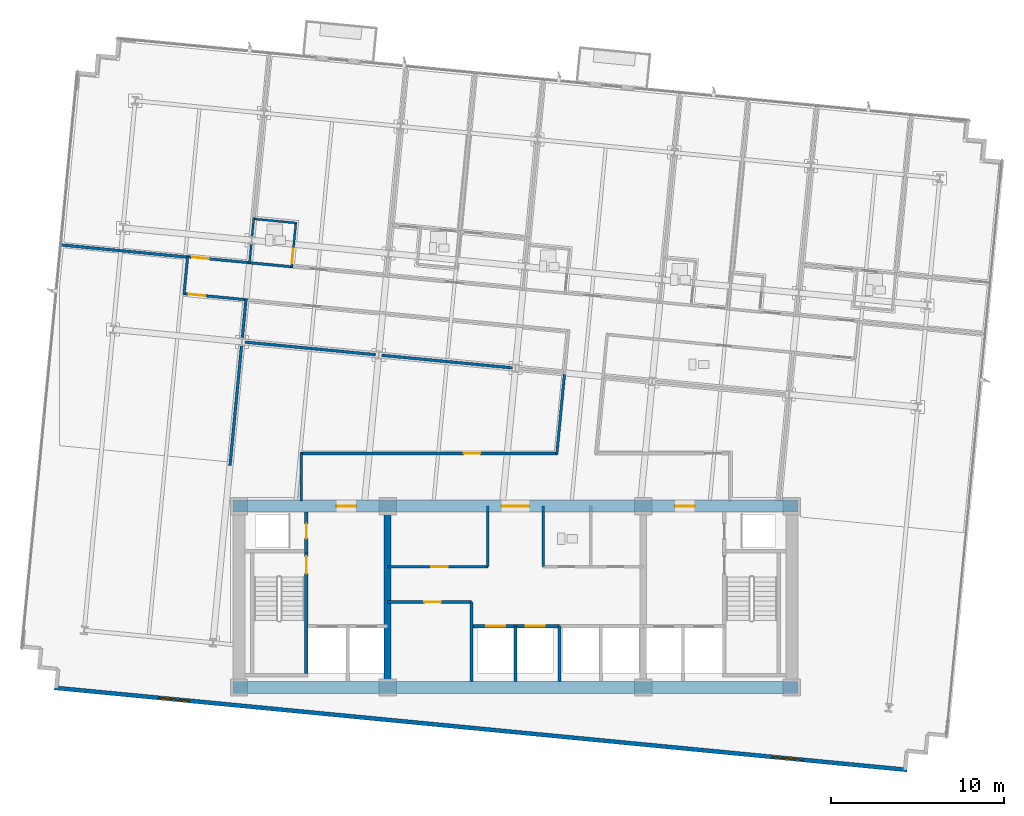
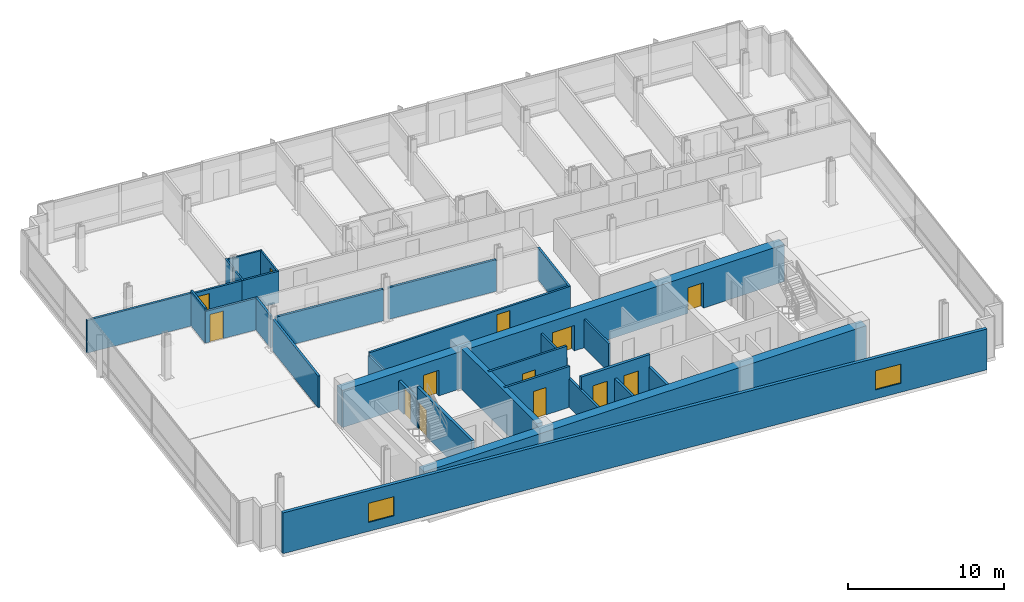
# One storey, part 10 of 17: 30 walls, 13 doors, 2 windows, 15 openings.
"""IFC4 building model written with IfcOpenShell, lengths in metres."""

from ifc_helpers import new_model, si_unit, direction, frame, frame_2d, origin, place, context, subcontext, project, spatial, rectangle, extrude, material, layer, layer_set, type_object, element, fill, save


model = new_model("IFC4")

# Units and contexts
model_context = context("Model", 3, precision=1e-05, world=origin(), true_north=direction((0.0, 1.0)))
body_context = subcontext(model_context, "Body", "Model", "MODEL_VIEW")
ifc_project = project(units=[si_unit("LENGTHUNIT", "METRE"), si_unit("AREAUNIT", "SQUARE_METRE"), si_unit("VOLUMEUNIT", "CUBIC_METRE"), si_unit("PLANEANGLEUNIT", "RADIAN"), si_unit("MASSUNIT", "GRAM", prefix="KILO")], contexts=[model_context])

# Site, building, storey
site_placement = place(None, origin())
site = spatial("IfcSite", under=ifc_project, at=site_placement, CompositionType="ELEMENT")
building_placement = place(site_placement, origin())
building = spatial("IfcBuilding", under=site, at=building_placement, Name="Solmavex Isthmus Hotel", CompositionType="ELEMENT")
storey_placement = place(building_placement, frame((0.0, 0.0, 146.25)))
storey = spatial("IfcBuildingStorey", under=building, at=storey_placement, Name="L39", CompositionType="ELEMENT", Elevation=146.25)

# Wall, openings, windows
ifc_material_1 = material(Name="Precast Concrete C40/50", Category="concrete")
ifc_layer_1 = layer(ifc_material_1, 0.25)
ifc_layer_set_1 = layer_set([ifc_layer_1], Name="Precast Concrete C40/50")
wall_type_1 = type_object("IfcWallType", Name="EW-TWR-250", PredefinedType="STANDARD", material=ifc_layer_set_1)
wall_1_placement = place(storey_placement, frame((-26.6953125, -13.01611328125, 0.0), z_axis=(0.0, 0.0, 1.0), x_axis=(0.995396268366, -0.095845025554, 0.0)))
wall_1 = element("IfcWall", 1, at=wall_1_placement, inside=storey, type_object=wall_type_1, Name="Tower Rear South Facade Wall L39", PredefinedType="STANDARD", context=body_context, shape_type="SweptSolid", body=[
    extrude(rectangle(XDim=49.599853515625, YDim=0.239990234375, at=frame_2d((24.7998046875, 0.0))), origin(), (0.0, 0.0, 1.0), 3.18994140625),
])
opening_1_placement = place(wall_1_placement, frame((6.0439453125, 0.0, 0.699951171875)))
opening_1 = element("IfcOpeningElement", 2, at=opening_1_placement, cuts=wall_1, Name="Opening WN-02", PredefinedType="OPENING", context=body_context, shape_type="SweptSolid", body=[
    extrude(rectangle(XDim=1.800048828125, YDim=1.5, at=frame_2d((0.89990234375, 0.75))), frame((0.0, 0.1298828125, 0.0), z_axis=(0.0, -1.0, 0.0), x_axis=(1.0, 0.0, 0.0)), (0.0, 0.0, 1.0), 0.260009765625),
])
opening_2_placement = place(wall_1_placement, frame((41.756103515625, 0.0, 0.699951171875)))
opening_2 = element("IfcOpeningElement", 3, at=opening_2_placement, cuts=wall_1, Name="Opening WN-02", PredefinedType="OPENING", context=body_context, shape_type="SweptSolid", body=[
    extrude(rectangle(XDim=1.800048828125, YDim=1.5, at=frame_2d((0.89990234375, 0.75))), frame((0.0, 0.1298828125, 0.0), z_axis=(0.0, -1.0, 0.0), x_axis=(1.0, 0.0, 0.0)), (0.0, 0.0, 1.0), 0.260009765625),
])
ifc_material_2 = material(Name="Clear low-E laminated glass", Category="glass")
window_type = type_object("IfcWindowType", Name="WIN-TWR-1800", PartitioningType="SINGLE_PANEL", PredefinedType="WINDOW", material=ifc_material_2)
window_1_placement = place(opening_1_placement, origin())
window_1 = element("IfcWindow", 4, at=window_1_placement, inside=storey, type_object=window_type, Name="South Facade Vision Window L39-S1", OverallHeight=1.5, OverallWidth=1.800048828125, PartitioningType="SINGLE_PANEL", PredefinedType="WINDOW", context=body_context, shape_type="SweptSolid", body=[
    extrude(rectangle(XDim=1.800048828125, YDim=1.5, at=frame_2d((0.89990234375, 0.75))), frame((0.0, 0.030029296875, 0.0), z_axis=(0.0, -1.0, 0.0), x_axis=(1.0, 0.0, 0.0)), (0.0, 0.0, 1.0), 0.06005859375),
])
fill(opening_1, window_1)
window_2_placement = place(opening_2_placement, origin())
window_2 = element("IfcWindow", 5, at=window_2_placement, inside=storey, type_object=window_type, Name="South Facade Vision Window L39-S2", OverallHeight=1.5, OverallWidth=1.800048828125, PartitioningType="SINGLE_PANEL", PredefinedType="WINDOW", context=body_context, shape_type="SweptSolid", body=[
    extrude(rectangle(XDim=1.800048828125, YDim=1.5, at=frame_2d((0.89990234375, 0.75))), frame((0.0, 0.030029296875, 0.0), z_axis=(0.0, -1.0, 0.0), x_axis=(1.0, 0.0, 0.0)), (0.0, 0.0, 1.0), 0.06005859375),
])
fill(opening_2, window_2)

# Wall, opening, door
ifc_material_3 = material(Name="Gypsum plasterboard lining", Category="gypsum")
ifc_layer_2 = layer(ifc_material_3, 0.159912109375)
ifc_layer_set_2 = layer_set([ifc_layer_2], Name="Gypsum plasterboard lining")
wall_type_2 = type_object("IfcWallType", Name="IW-COMP-160", PredefinedType="PARTITIONING", material=ifc_layer_set_2)
wall_2_placement = place(storey_placement, frame((-7.39990234375, -8.050048828125, 0.0), z_axis=(0.0, 0.0, 1.0), x_axis=(1.0, 0.0, 0.0)))
wall_2 = element("IfcWall", 6, at=wall_2_placement, inside=storey, type_object=wall_type_2, Name="Interior Partition Wall W-L39-REC-PLL-N", PredefinedType="PARTITIONING", context=body_context, shape_type="SweptSolid", body=[
    extrude(rectangle(XDim=4.849853515625, YDim=0.159912109375, at=frame_2d((2.4248046875, 0.0))), origin(), (0.0, 0.0, 1.0), 3.18994140625),
])
opening_3_placement = place(wall_2_placement, frame((2.125, 0.0, 0.0)))
opening_3 = element("IfcOpeningElement", 7, at=opening_3_placement, cuts=wall_2, Name="Opening ID-C095", PredefinedType="OPENING", context=body_context, shape_type="SweptSolid", body=[
    extrude(rectangle(XDim=0.949951171875, YDim=2.14990234375, at=frame_2d((0.47509765625, 1.074951171875))), frame((0.0, 0.08984375, 0.0), z_axis=(0.0, -1.0, 0.0), x_axis=(1.0, 0.0, 0.0)), (0.0, 0.0, 1.0), 0.179931640625),
])
ifc_material_4 = material(Name="Hardwood timber", Category="wood")
door_type_1 = type_object("IfcDoorType", Name="IDR-FD60-0950", OperationType="NOTDEFINED", PredefinedType="DOOR", material=ifc_material_4)
door_1_placement = place(opening_3_placement, origin())
door_1 = element("IfcDoor", 8, at=door_1_placement, inside=storey, type_object=door_type_1, Name="Linen Reserve Door L39", OperationType="SINGLE_SWING_LEFT", OverallHeight=2.14990234375, OverallWidth=0.949951171875, PredefinedType="DOOR", context=body_context, shape_type="SweptSolid", body=[
    extrude(rectangle(XDim=0.949951171875, YDim=2.14990234375, at=frame_2d((0.47509765625, 1.074951171875))), frame((0.0, 0.02490234375, 0.0), z_axis=(0.0, -1.0, 0.0), x_axis=(1.0, 0.0, 0.0)), (0.0, 0.0, 1.0), 0.050048828125),
])
fill(opening_3, door_1)

# Walls
wall_3_placement = place(storey_placement, frame((-2.550048828125, -12.64990234375, 0.0), z_axis=(0.0, 0.0, 1.0), x_axis=(0.0, 1.0, 0.0)))
element("IfcWall", 9, at=wall_3_placement, inside=storey, type_object=wall_type_2, Name="Interior Partition Wall W-L39-REC-PLL-E", PredefinedType="PARTITIONING", context=body_context, shape_type="SweptSolid", body=[
    extrude(rectangle(XDim=4.599853515625, YDim=0.159912109375, at=frame_2d((2.2998046875, 0.0))), origin(), (0.0, 0.0, 1.0), 2.22509765625),
])
wall_4_placement = place(storey_placement, frame((-18.942138671875, 11.91552734375, 0.0), z_axis=(0.0, 0.0, 1.0), x_axis=(-0.995395927026, 0.095848570461, 0.0)))
element("IfcWall", 10, at=wall_4_placement, inside=storey, type_object=wall_type_2, Name="Interior Partition Wall W-L39-P030", PredefinedType="PARTITIONING", context=body_context, shape_type="SweptSolid", body=[
    extrude(rectangle(XDim=7.44775390625, YDim=0.159912109375, at=frame_2d((3.723876953125, 0.0))), origin(), (0.0, 0.0, 1.0), 2.5576171875),
])
wall_5_placement = place(storey_placement, frame((-15.820556640625, 7.190673828125, 0.0), z_axis=(0.0, 0.0, 1.0), x_axis=(0.09580488871, 0.995400132258, 0.0)))
element("IfcWall", 11, at=wall_5_placement, inside=storey, type_object=wall_type_2, Name="Interior Partition Wall W-L39-P075", PredefinedType="PARTITIONING", context=body_context, shape_type="SweptSolid", body=[
    extrude(rectangle(XDim=2.31396484375, YDim=0.159912109375, at=frame_2d((1.156982421875, 0.0))), origin(), (0.0, 0.0, 1.0), 2.4794921875),
])
for number, where, z_axis, x_axis, name in (
    (12, (-8.09326171875, 6.269775390625, 0.0), (0.0, 0.0, 1.0), (-0.995396962155, 0.095837819954, 0.0), "Interior Partition Wall W-L39-P076"),
    (13, (-0.173828125, 5.507080078125, 0.0), (0.0, 0.0, 1.0), (-0.995393898805, 0.095869631385, 0.0), "Interior Partition Wall W-L39-P077"),
):
    element("IfcWall", number, at=place(storey_placement, frame(where, z_axis=z_axis, x_axis=x_axis)), inside=storey, type_object=wall_type_2, Name=name, PredefinedType="PARTITIONING", context=body_context, shape_type="SweptSolid", body=[
        extrude(rectangle(XDim=7.60400390625, YDim=0.159912109375, at=frame_2d((3.802001953125, 0.0))), origin(), (0.0, 0.0, 1.0), 2.4794921875),
    ])
wall_6_placement = place(storey_placement, frame((-15.854248046875, 6.84033203125, 0.0), z_axis=(0.0, 0.0, 1.0), x_axis=(-0.095860309466, -0.995394796585, 0.0)))
element("IfcWall", 14, at=wall_6_placement, inside=storey, type_object=wall_type_2, Name="Interior Partition Wall W-L39-P080", PredefinedType="PARTITIONING", context=body_context, shape_type="SweptSolid", body=[
    extrude(rectangle(XDim=7.013916015625, YDim=0.159912109375, at=frame_2d((3.5068359375, 0.0))), origin(), (0.0, 0.0, 1.0), 2.4794921875),
])

# Wall, opening, door
ifc_layer_3 = layer(ifc_material_3, 0.14990234375)
ifc_layer_set_3 = layer_set([ifc_layer_3], Name="Gypsum plasterboard lining")
wall_type_3 = type_object("IfcWallType", Name="IW-CORR-150", PredefinedType="PARTITIONING", material=ifc_layer_set_3)
wall_7_placement = place(storey_placement, frame((-7.39990234375, -6.0, 0.0), z_axis=(0.0, 0.0, 1.0), x_axis=(1.0, 0.0, 0.0)))
wall_7 = element("IfcWall", 15, at=wall_7_placement, inside=storey, type_object=wall_type_3, Name="Interior Partition Wall W-L39-BOH-WS", PredefinedType="PARTITIONING", context=body_context, shape_type="SweptSolid", body=[
    extrude(rectangle(XDim=5.7998046875, YDim=0.14990234375, at=frame_2d((2.89990234375, 0.0))), origin(), (0.0, 0.0, 1.0), 3.18994140625),
])
opening_4_placement = place(wall_7_placement, frame((2.52490234375, 0.0, 0.0)))
opening_4 = element("IfcOpeningElement", 16, at=opening_4_placement, cuts=wall_7, Name="Opening ID-C095", PredefinedType="OPENING", context=body_context, shape_type="SweptSolid", body=[
    extrude(rectangle(XDim=0.949951171875, YDim=2.14990234375, at=frame_2d((0.47509765625, 1.074951171875))), frame((0.0, 0.0849609375, 0.0), z_axis=(0.0, -1.0, 0.0), x_axis=(1.0, 0.0, 0.0)), (0.0, 0.0, 1.0), 0.169921875),
])
door_2_placement = place(opening_4_placement, frame((0.949951171875, 0.0, 0.0), z_axis=(0.0, 0.0, 1.0), x_axis=(-1.0, 0.0, 0.0)))
door_2 = element("IfcDoor", 17, at=door_2_placement, inside=storey, type_object=door_type_1, Name="Housekeeping Room Door L39", OperationType="SINGLE_SWING_LEFT", OverallHeight=2.14990234375, OverallWidth=0.949951171875, PredefinedType="DOOR", context=body_context, shape_type="SweptSolid", body=[
    extrude(rectangle(XDim=0.949951171875, YDim=2.14990234375, at=frame_2d((0.47509765625, 1.074951171875))), frame((0.0, 0.02490234375, 0.0), z_axis=(0.0, -1.0, 0.0), x_axis=(1.0, 0.0, 0.0)), (0.0, 0.0, 1.0), 0.050048828125),
])
fill(opening_4, door_2)

# Walls
for number, where, z_axis, x_axis, name in (
    (18, (-1.60009765625, -6.0, 0.0), (0.0, 0.0, 1.0), (0.0, 1.0, 0.0), "Interior Partition Wall W-L39-BOH-WE"),
    (19, (1.60009765625, -6.0, 0.0), (0.0, 0.0, 1.0), (0.0, 1.0, 0.0), "Interior Partition Wall W-L39-BOH-EW"),
):
    element("IfcWall", number, at=place(storey_placement, frame(where, z_axis=z_axis, x_axis=x_axis)), inside=storey, type_object=wall_type_3, Name=name, PredefinedType="PARTITIONING", context=body_context, shape_type="SweptSolid", body=[
        extrude(rectangle(XDim=3.5, YDim=0.14990234375, at=frame_2d((1.75, 0.0))), origin(), (0.0, 0.0, 1.0), 2.22509765625),
    ])

# Wall, opening, door
wall_8_placement = place(storey_placement, frame((-19.019775390625, 11.943115234375, 0.0), z_axis=(0.0, 0.0, 1.0), x_axis=(0.995397364202, -0.095833644092, 0.0)))
wall_8 = element("IfcWall", 20, at=wall_8_placement, inside=storey, type_object=wall_type_3, Name="Interior Partition Wall W-L39-P001", PredefinedType="PARTITIONING", context=body_context, shape_type="SweptSolid", body=[
    extrude(rectangle(XDim=3.721923828125, YDim=0.14990234375, at=frame_2d((1.86083984375, 0.0))), origin(), (0.0, 0.0, 1.0), 2.4794921875),
])
opening_5_placement = place(wall_8_placement, frame((0.315185546875, 0.0, 0.0)))
opening_5 = element("IfcOpeningElement", 21, at=opening_5_placement, cuts=wall_8, Name="Opening ID-C095", PredefinedType="OPENING", context=body_context, shape_type="SweptSolid", body=[
    extrude(rectangle(XDim=0.949951171875, YDim=2.14990234375, at=frame_2d((0.47509765625, 1.074951171875))), frame((0.0, 0.0849609375, 0.0), z_axis=(0.0, -1.0, 0.0), x_axis=(1.0, 0.0, 0.0)), (0.0, 0.0, 1.0), 0.169921875),
])
door_3_placement = place(opening_5_placement, frame((0.949951171875, 0.0, 0.0), z_axis=(0.0, 0.0, 1.0), x_axis=(-1.0, 0.0, 0.0)))
door_3 = element("IfcDoor", 22, at=door_3_placement, inside=storey, type_object=door_type_1, Name="Executive Hospitality Lounge Door L39-01", OperationType="SINGLE_SWING_LEFT", OverallHeight=2.14990234375, OverallWidth=0.949951171875, PredefinedType="DOOR", context=body_context, shape_type="SweptSolid", body=[
    extrude(rectangle(XDim=0.949951171875, YDim=2.14990234375, at=frame_2d((0.47509765625, 1.074951171875))), frame((0.0, 0.02490234375, 0.0), z_axis=(0.0, -1.0, 0.0), x_axis=(1.0, 0.0, 0.0)), (0.0, 0.0, 1.0), 0.050048828125),
])
fill(opening_5, door_3)

# Wall
wall_9_placement = place(storey_placement, frame((-15.478271484375, 11.60205078125, 0.0), z_axis=(0.0, 0.0, 1.0), x_axis=(0.995398413865, -0.095822740911, 0.0)))
element("IfcWall", 23, at=wall_9_placement, inside=storey, type_object=wall_type_3, Name="Interior Partition Wall W-L39-P003", PredefinedType="PARTITIONING", context=body_context, shape_type="SweptSolid", body=[
    extrude(rectangle(XDim=2.614013671875, YDim=0.14990234375, at=frame_2d((1.30712890625, 0.0))), origin(), (0.0, 0.0, 1.0), 2.4794921875),
])

# Wall, opening, door
wall_10_placement = place(storey_placement, frame((-15.52099609375, 9.4462890625, 0.0), z_axis=(0.0, 0.0, 1.0), x_axis=(-0.995397364202, 0.095833644092, 0.0)))
wall_10 = element("IfcWall", 24, at=wall_10_placement, inside=storey, type_object=wall_type_3, Name="Interior Partition Wall W-L39-P021", PredefinedType="PARTITIONING", context=body_context, shape_type="SweptSolid", body=[
    extrude(rectangle(XDim=3.721923828125, YDim=0.14990234375, at=frame_2d((1.86083984375, 0.0))), origin(), (0.0, 0.0, 1.0), 2.4794921875),
])
opening_6_placement = place(wall_10_placement, frame((2.456787109375, 0.0, 0.0)))
opening_6 = element("IfcOpeningElement", 25, at=opening_6_placement, cuts=wall_10, Name="Opening ID-C095", PredefinedType="OPENING", context=body_context, shape_type="SweptSolid", body=[
    extrude(rectangle(XDim=0.949951171875, YDim=2.14990234375, at=frame_2d((0.47509765625, 1.074951171875))), frame((0.0, 0.0849609375, 0.0), z_axis=(0.0, -1.0, 0.0), x_axis=(1.0, 0.0, 0.0)), (0.0, 0.0, 1.0), 0.169921875),
])
door_4_placement = place(opening_6_placement, frame((0.949951171875, 0.0, 0.0), z_axis=(0.0, 0.0, 1.0), x_axis=(-1.0, 0.0, 0.0)))
door_4 = element("IfcDoor", 26, at=door_4_placement, inside=storey, type_object=door_type_1, Name="Executive Hospitality Lounge Door L39-22", OperationType="SINGLE_SWING_RIGHT", OverallHeight=2.14990234375, OverallWidth=0.949951171875, PredefinedType="DOOR", context=body_context, shape_type="SweptSolid", body=[
    extrude(rectangle(XDim=0.949951171875, YDim=2.14990234375, at=frame_2d((0.47509765625, 1.074951171875))), frame((0.0, 0.02490234375, 0.0), z_axis=(0.0, -1.0, 0.0), x_axis=(1.0, 0.0, 0.0)), (0.0, 0.0, 1.0), 0.050048828125),
])
fill(opening_6, door_4)

# Walls
wall_11_placement = place(storey_placement, frame((-19.18994140625, 9.75927734375, 0.0), z_axis=(0.0, 0.0, 1.0), x_axis=(0.095882898123, 0.995392620953, 0.0)))
element("IfcWall", 27, at=wall_11_placement, inside=storey, type_object=wall_type_3, Name="Interior Partition Wall W-L39-P022", PredefinedType="PARTITIONING", context=body_context, shape_type="SweptSolid", body=[
    extrude(rectangle(XDim=2.210205078125, YDim=0.14990234375, at=frame_2d((1.10498046875, 0.0))), origin(), (0.0, 0.0, 1.0), 2.718017578125),
])
wall_12_placement = place(storey_placement, frame((-12.39990234375, -2.18994140625, 0.0), z_axis=(0.0, 0.0, 1.0), x_axis=(0.0, 1.0, 0.0)))
element("IfcWall", 28, at=wall_12_placement, inside=storey, type_object=wall_type_3, Name="Interior Partition Wall W-L39-P023", PredefinedType="PARTITIONING", context=body_context, shape_type="SweptSolid", body=[
    extrude(rectangle(XDim=2.780029296875, YDim=0.14990234375, at=frame_2d((1.39013671875, 0.0))), origin(), (0.0, 0.0, 1.0), 2.22509765625),
])

# Wall, opening, door
wall_13_placement = place(storey_placement, frame((-12.43994140625, 0.550048828125, 0.0), z_axis=(0.0, 0.0, 1.0), x_axis=(1.0, 0.0, 0.0)))
wall_13 = element("IfcWall", 29, at=wall_13_placement, inside=storey, type_object=wall_type_3, Name="Interior Partition Wall W-L39-P024", PredefinedType="PARTITIONING", context=body_context, shape_type="SweptSolid", body=[
    extrude(rectangle(XDim=14.876708984375, YDim=0.14990234375, at=frame_2d((7.4384765625, 0.0))), origin(), (0.0, 0.0, 1.0), 2.4794921875),
])
opening_7_placement = place(wall_13_placement, frame((9.44921875, 0.0, 0.0)))
opening_7 = element("IfcOpeningElement", 30, at=opening_7_placement, cuts=wall_13, Name="Opening ID-C095", PredefinedType="OPENING", context=body_context, shape_type="SweptSolid", body=[
    extrude(rectangle(XDim=0.949951171875, YDim=2.14990234375, at=frame_2d((0.47509765625, 1.074951171875))), frame((0.0, 0.0849609375, 0.0), z_axis=(0.0, -1.0, 0.0), x_axis=(1.0, 0.0, 0.0)), (0.0, 0.0, 1.0), 0.169921875),
])
door_5_placement = place(opening_7_placement, frame((0.949951171875, 0.0, 0.0), z_axis=(0.0, 0.0, 1.0), x_axis=(-1.0, 0.0, 0.0)))
door_5 = element("IfcDoor", 31, at=door_5_placement, inside=storey, type_object=door_type_1, Name="Wellness Hydrotherapy Lounge Door L39-23", OperationType="SINGLE_SWING_LEFT", OverallHeight=2.14990234375, OverallWidth=0.949951171875, PredefinedType="DOOR", context=body_context, shape_type="SweptSolid", body=[
    extrude(rectangle(XDim=0.949951171875, YDim=2.14990234375, at=frame_2d((0.47509765625, 1.074951171875))), frame((0.0, 0.02490234375, 0.0), z_axis=(0.0, -1.0, 0.0), x_axis=(1.0, 0.0, 0.0)), (0.0, 0.0, 1.0), 0.050048828125),
])
fill(opening_7, door_5)

# Walls
wall_14_placement = place(storey_placement, frame((2.39306640625, 0.51025390625, 0.0), z_axis=(0.0, 0.0, 1.0), x_axis=(0.095829431913, 0.995397769728, 0.0)))
element("IfcWall", 32, at=wall_14_placement, inside=storey, type_object=wall_type_3, Name="Interior Partition Wall W-L39-P025", PredefinedType="PARTITIONING", context=body_context, shape_type="SweptSolid", body=[
    extrude(rectangle(XDim=4.81005859375, YDim=0.14990234375, at=frame_2d((2.405029296875, 0.0))), origin(), (0.0, 0.0, 1.0), 2.4794921875),
])
ifc_layer_4 = layer(ifc_material_3, 0.1201171875)
ifc_layer_set_4 = layer_set([ifc_layer_4], Name="Gypsum plasterboard lining")
wall_type_4 = type_object("IfcWallType", Name="IW-PART-120", PredefinedType="PARTITIONING", material=ifc_layer_set_4)
wall_15_placement = place(storey_placement, frame((-15.2880859375, 12.720947265625, 0.0), z_axis=(0.0, 0.0, 1.0), x_axis=(-0.095831494917, -0.995397571115, 0.0)))
element("IfcWall", 33, at=wall_15_placement, inside=storey, type_object=wall_type_4, Name="Interior Partition Wall W-L39-P028", PredefinedType="PARTITIONING", context=body_context, shape_type="SweptSolid", body=[
    extrude(rectangle(XDim=1.171875, YDim=0.1201171875, at=frame_2d((0.5859375, 0.0))), origin(), (0.0, 0.0, 1.0), 2.4794921875),
])
wall_16_placement = place(storey_placement, frame((-15.144287109375, 14.214111328125, 0.0), z_axis=(0.0, 0.0, 1.0), x_axis=(-0.09590284245, -0.99539069958, 0.0)))
element("IfcWall", 34, at=wall_16_placement, inside=storey, type_object=wall_type_4, Name="Interior Partition Wall W-L39-P029", PredefinedType="PARTITIONING", context=body_context, shape_type="SweptSolid", body=[
    extrude(rectangle(XDim=1.148193359375, YDim=0.1201171875, at=frame_2d((0.57421875, 0.0))), origin(), (0.0, 0.0, 1.0), 2.4794921875),
])

# Wall, opening, door
wall_17_placement = place(storey_placement, frame((-12.961669921875, 11.319580078125, 0.0), z_axis=(0.0, 0.0, 1.0), x_axis=(0.095799078022, 0.995400691506, 0.0)))
wall_17 = element("IfcWall", 35, at=wall_17_placement, inside=storey, type_object=wall_type_4, Name="Interior Partition Wall W-L39-P031", PredefinedType="PARTITIONING", context=body_context, shape_type="SweptSolid", body=[
    extrude(rectangle(XDim=2.630126953125, YDim=0.1201171875, at=frame_2d((1.31494140625, 0.0))), origin(), (0.0, 0.0, 1.0), 2.4794921875),
])
opening_8_placement = place(wall_17_placement, frame((0.247314453125, 0.0, 0.0)))
opening_8 = element("IfcOpeningElement", 36, at=opening_8_placement, cuts=wall_17, Name="Opening ID-U085", PredefinedType="OPENING", context=body_context, shape_type="SweptSolid", body=[
    extrude(rectangle(XDim=0.85009765625, YDim=2.10009765625, at=frame_2d((0.425048828125, 1.050048828125))), frame((0.0, 0.070068359375, 0.0), z_axis=(0.0, -1.0, 0.0), x_axis=(1.0, 0.0, 0.0)), (0.0, 0.0, 1.0), 0.14013671875),
])
door_type_2 = type_object("IfcDoorType", Name="IDR-UNR-0850", OperationType="NOTDEFINED", PredefinedType="DOOR", material=ifc_material_4)
door_6_placement = place(opening_8_placement, frame((0.85009765625, 0.0, 0.0), z_axis=(0.0, 0.0, 1.0), x_axis=(-1.0, 0.0, 0.0)))
door_6 = element("IfcDoor", 37, at=door_6_placement, inside=storey, type_object=door_type_2, Name="En-suite Bathroom Door L39-03", OperationType="SINGLE_SWING_LEFT", OverallHeight=2.10009765625, OverallWidth=0.85009765625, PredefinedType="DOOR", context=body_context, shape_type="SweptSolid", body=[
    extrude(rectangle(XDim=0.85009765625, YDim=2.10009765625, at=frame_2d((0.425048828125, 1.050048828125))), frame((0.0, 0.02490234375, 0.0), z_axis=(0.0, -1.0, 0.0), x_axis=(1.0, 0.0, 0.0)), (0.0, 0.0, 1.0), 0.050048828125),
])
fill(opening_8, door_6)

# Walls
wall_18_placement = place(storey_placement, frame((-12.673583984375, 13.893798828125, 0.0), z_axis=(0.0, 0.0, 1.0), x_axis=(-0.995398237687, 0.095824571015, 0.0)))
element("IfcWall", 38, at=wall_18_placement, inside=storey, type_object=wall_type_4, Name="Interior Partition Wall W-L39-P032", PredefinedType="PARTITIONING", context=body_context, shape_type="SweptSolid", body=[
    extrude(rectangle(XDim=2.530029296875, YDim=0.1201171875, at=frame_2d((1.26513671875, 0.0))), origin(), (0.0, 0.0, 1.0), 2.4794921875),
])
ifc_material_5 = material(Name="Concrete C40/50", Category="concrete")
ifc_layer_5 = layer(ifc_material_5, 0.179931640625)
ifc_layer_set_5 = layer_set([ifc_layer_5], Name="Concrete C40/50")
wall_type_5 = type_object("IfcWallType", Name="IW-SHAFT-180", PredefinedType="PARTITIONING", material=ifc_layer_set_5)
wall_19_placement = place(storey_placement, frame((0.0, -12.64990234375, 0.0), z_axis=(0.0, 0.0, 1.0), x_axis=(0.0, 1.0, 0.0)))
element("IfcWall", 39, at=wall_19_placement, inside=storey, type_object=wall_type_5, Name="Interior Partition Wall W-L39-SH-PLM-M", PredefinedType="PARTITIONING", context=body_context, shape_type="SweptSolid", body=[
    extrude(rectangle(XDim=3.199951171875, YDim=0.179931640625, at=frame_2d((1.60009765625, 0.0))), origin(), (0.0, 0.0, 1.0), 2.22509765625),
])

# Wall, opening, door
ifc_layer_6 = layer(ifc_material_5, 0.199951171875)
ifc_layer_set_6 = layer_set([ifc_layer_6], Name="Concrete C40/50")
wall_type_6 = type_object("IfcWallType", Name="IW-SHAFT-200", PredefinedType="PARTITIONING", material=ifc_layer_set_6)
wall_20_placement = place(storey_placement, frame((-12.10009765625, -5.199951171875, 0.0), z_axis=(0.0, 0.0, 1.0), x_axis=(0.0, 1.0, 0.0)))
wall_20 = element("IfcWall", 40, at=wall_20_placement, inside=storey, type_object=wall_type_6, Name="Interior Partition Wall W-L39-RSW-E", PredefinedType="PARTITIONING", context=body_context, shape_type="SweptSolid", body=[
    extrude(rectangle(XDim=2.349853515625, YDim=0.199951171875, at=frame_2d((1.1748046875, 0.0))), origin(), (0.0, 0.0, 1.0), 2.22509765625),
])
opening_9_placement = place(wall_20_placement, frame((0.824951171875, 0.0, 0.0)))
opening_9 = element("IfcOpeningElement", 41, at=opening_9_placement, cuts=wall_20, Name="Opening ID-R085", PredefinedType="OPENING", context=body_context, shape_type="SweptSolid", body=[
    extrude(rectangle(XDim=0.85009765625, YDim=2.050048828125, at=frame_2d((0.425048828125, 1.02490234375))), frame((0.0, 0.10986328125, 0.0), z_axis=(0.0, -1.0, 0.0), x_axis=(1.0, 0.0, 0.0)), (0.0, 0.0, 1.0), 0.219970703125),
])
ifc_material_6 = material(Name="Steel ASTM A500 Grade C", Category="steel")
door_type_3 = type_object("IfcDoorType", Name="IDR-FD60-0850", OperationType="NOTDEFINED", PredefinedType="DOOR", material=ifc_material_6)
door_7_placement = place(opening_9_placement, origin())
door_7 = element("IfcDoor", 42, at=door_7_placement, inside=storey, type_object=door_type_3, Name="Electrical Riser Door L39", OperationType="SINGLE_SWING_RIGHT", OverallHeight=2.050048828125, OverallWidth=0.85009765625, PredefinedType="DOOR", context=body_context, shape_type="SweptSolid", body=[
    extrude(rectangle(XDim=0.85009765625, YDim=2.050048828125, at=frame_2d((0.425048828125, 1.02490234375))), frame((0.0, 0.02490234375, 0.0), z_axis=(0.0, -1.0, 0.0), x_axis=(1.0, 0.0, 0.0)), (0.0, 0.0, 1.0), 0.050048828125),
])
fill(opening_9, door_7)

# Wall, openings, doors
wall_21_placement = place(storey_placement, frame((-2.550048828125, -9.449951171875, 0.0), z_axis=(0.0, 0.0, 1.0), x_axis=(1.0, 0.0, 0.0)))
wall_21 = element("IfcWall", 43, at=wall_21_placement, inside=storey, type_object=wall_type_6, Name="Interior Partition Wall W-L39-SH-PLM", PredefinedType="PARTITIONING", context=body_context, shape_type="SweptSolid", body=[
    extrude(rectangle(XDim=5.10009765625, YDim=0.199951171875, at=frame_2d((2.550048828125, 0.0))), origin(), (0.0, 0.0, 1.0), 3.18994140625),
])
opening_10_placement = place(wall_21_placement, frame((0.85009765625, 0.0, 0.0)))
opening_10 = element("IfcOpeningElement", 44, at=opening_10_placement, cuts=wall_21, Name="Opening LD-PL", PredefinedType="OPENING", context=body_context, shape_type="SweptSolid", body=[
    extrude(rectangle(XDim=1.10009765625, YDim=2.199951171875, at=frame_2d((0.550048828125, 1.10009765625))), frame((0.0, 0.10986328125, 0.0), z_axis=(0.0, -1.0, 0.0), x_axis=(1.0, 0.0, 0.0)), (0.0, 0.0, 1.0), 0.219970703125),
])
opening_11_placement = place(wall_21_placement, frame((3.14990234375, 0.0, 0.0)))
opening_11 = element("IfcOpeningElement", 45, at=opening_11_placement, cuts=wall_21, Name="Opening LD-PL", PredefinedType="OPENING", context=body_context, shape_type="SweptSolid", body=[
    extrude(rectangle(XDim=1.10009765625, YDim=2.199951171875, at=frame_2d((0.550048828125, 1.10009765625))), frame((0.0, 0.10986328125, 0.0), z_axis=(0.0, -1.0, 0.0), x_axis=(1.0, 0.0, 0.0)), (0.0, 0.0, 1.0), 0.219970703125),
])
ifc_material_7 = material(Name="Stainless steel 316", Category="steel")
door_type_4 = type_object("IfcDoorType", Name="LDR-PL-1100", OperationType="NOTDEFINED", PredefinedType="DOOR", material=ifc_material_7)
door_8_placement = place(opening_10_placement, origin())
door_8 = element("IfcDoor", 46, at=door_8_placement, inside=storey, type_object=door_type_4, Name="Lift Landing Door PLM1 L39", OperationType="SLIDING_TO_RIGHT", OverallHeight=2.199951171875, OverallWidth=1.10009765625, PredefinedType="DOOR", context=body_context, shape_type="SweptSolid", body=[
    extrude(rectangle(XDim=1.10009765625, YDim=2.199951171875, at=frame_2d((0.550048828125, 1.10009765625))), frame((0.0, 0.02490234375, 0.0), z_axis=(0.0, -1.0, 0.0), x_axis=(1.0, 0.0, 0.0)), (0.0, 0.0, 1.0), 0.050048828125),
])
fill(opening_10, door_8)
door_9_placement = place(opening_11_placement, origin())
door_9 = element("IfcDoor", 47, at=door_9_placement, inside=storey, type_object=door_type_4, Name="Lift Landing Door PLM2 L39", OperationType="SLIDING_TO_RIGHT", OverallHeight=2.199951171875, OverallWidth=1.10009765625, PredefinedType="DOOR", context=body_context, shape_type="SweptSolid", body=[
    extrude(rectangle(XDim=1.10009765625, YDim=2.199951171875, at=frame_2d((0.550048828125, 1.10009765625))), frame((0.0, 0.02490234375, 0.0), z_axis=(0.0, -1.0, 0.0), x_axis=(1.0, 0.0, 0.0)), (0.0, 0.0, 1.0), 0.050048828125),
])
fill(opening_11, door_9)

# Walls
wall_22_placement = place(storey_placement, frame((2.550048828125, -12.64990234375, 0.0), z_axis=(0.0, 0.0, 1.0), x_axis=(0.0, 1.0, 0.0)))
element("IfcWall", 48, at=wall_22_placement, inside=storey, type_object=wall_type_6, Name="Interior Partition Wall W-L39-SH-PLM-E", PredefinedType="PARTITIONING", context=body_context, shape_type="SweptSolid", body=[
    extrude(rectangle(XDim=3.199951171875, YDim=0.199951171875, at=frame_2d((1.60009765625, 0.0))), origin(), (0.0, 0.0, 1.0), 2.22509765625),
])
ifc_material_8 = material(Name="Concrete C60/75", Category="concrete")
ifc_layer_7 = layer(ifc_material_8, 0.39990234375)
ifc_layer_set_7 = layer_set([ifc_layer_7], Name="Concrete C60/75")
wall_type_7 = type_object("IfcWallType", Name="WALL-CW-400M", PredefinedType="SHEAR", material=ifc_layer_set_7)
wall_23_placement = place(storey_placement, frame((-7.39990234375, -12.64990234375, 0.0), z_axis=(0.0, 0.0, 1.0), x_axis=(0.0, 1.0, 0.0)))
element("IfcWall", 49, at=wall_23_placement, inside=storey, type_object=wall_type_7, Name="Core Cross Shear Wall C1 L39", PredefinedType="SHEAR", context=body_context, shape_type="SweptSolid", body=[
    extrude(rectangle(XDim=9.7998046875, YDim=0.39990234375, at=frame_2d((4.89990234375, 0.0))), origin(), (0.0, 0.0, 1.0), 3.18994140625),
])
ifc_layer_8 = layer(ifc_material_8, 0.699951171875)
ifc_layer_set_8 = layer_set([ifc_layer_8], Name="Concrete C60/75")
wall_type_8 = type_object("IfcWallType", Name="WALL-CW-700", PredefinedType="SHEAR", material=ifc_layer_set_8)
wall_24_placement = place(storey_placement, frame((-16.35009765625, -13.0, 0.0), z_axis=(0.0, 0.0, 1.0), x_axis=(1.0, 0.0, 0.0)))
element("IfcWall", 50, at=wall_24_placement, inside=storey, type_object=wall_type_8, Name="Core Shear Wall South L39", PredefinedType="SHEAR", context=body_context, shape_type="SweptSolid", body=[
    extrude(rectangle(XDim=32.7001953125, YDim=0.699951171875, at=frame_2d((16.35009765625, 0.0))), origin(), (0.0, 0.0, 1.0), 2.909912109375),
])

# Wall, openings, doors
wall_25_placement = place(storey_placement, frame((-16.35009765625, -2.5, 0.0), z_axis=(0.0, 0.0, 1.0), x_axis=(1.0, 0.0, 0.0)))
wall_25 = element("IfcWall", 51, at=wall_25_placement, inside=storey, type_object=wall_type_8, Name="Core Shear Wall North L39", PredefinedType="SHEAR", context=body_context, shape_type="SweptSolid", body=[
    extrude(rectangle(XDim=32.7001953125, YDim=0.699951171875, at=frame_2d((16.35009765625, 0.0))), origin(), (0.0, 0.0, 1.0), 2.909912109375),
])
opening_12_placement = place(wall_25_placement, frame((5.97509765625, 0.0, 0.0)))
opening_12 = element("IfcOpeningElement", 52, at=opening_12_placement, cuts=wall_25, Name="Opening ID-F915", PredefinedType="OPENING", context=body_context, shape_type="SweptSolid", body=[
    extrude(rectangle(XDim=1.14990234375, YDim=2.0, at=frame_2d((0.574951171875, 1.0))), frame((0.0, 0.35986328125, 0.0), z_axis=(0.0, -1.0, 0.0), x_axis=(1.0, 0.0, 0.0)), (0.0, 0.0, 1.0), 0.719970703125),
])
opening_13_placement = place(wall_25_placement, frame((15.550048828125, 0.0, 0.0)))
opening_13 = element("IfcOpeningElement", 53, at=opening_13_placement, cuts=wall_25, Name="Opening ID-F960", PredefinedType="OPENING", context=body_context, shape_type="SweptSolid", body=[
    extrude(rectangle(XDim=1.60009765625, YDim=2.0, at=frame_2d((0.800048828125, 1.0))), frame((0.0, 0.35986328125, 0.0), z_axis=(0.0, -1.0, 0.0), x_axis=(1.0, 0.0, 0.0)), (0.0, 0.0, 1.0), 0.719970703125),
])
opening_14_placement = place(wall_25_placement, frame((25.574951171875, 0.0, 0.0)))
opening_14 = element("IfcOpeningElement", 54, at=opening_14_placement, cuts=wall_25, Name="Opening ID-F915", PredefinedType="OPENING", context=body_context, shape_type="SweptSolid", body=[
    extrude(rectangle(XDim=1.14990234375, YDim=2.0, at=frame_2d((0.574951171875, 1.0))), frame((0.0, 0.35986328125, 0.0), z_axis=(0.0, -1.0, 0.0), x_axis=(1.0, 0.0, 0.0)), (0.0, 0.0, 1.0), 0.719970703125),
])
door_type_5 = type_object("IfcDoorType", Name="IDR-FD90-1150C", OperationType="NOTDEFINED", PredefinedType="DOOR", material=ifc_material_6)
door_10_placement = place(opening_12_placement, origin())
door_10 = element("IfcDoor", 55, at=door_10_placement, inside=storey, type_object=door_type_5, Name="Firefighting Lobby West Exit Door L39", OperationType="SINGLE_SWING_LEFT", OverallHeight=2.0, OverallWidth=1.14990234375, PredefinedType="DOOR", context=body_context, shape_type="SweptSolid", body=[
    extrude(rectangle(XDim=1.14990234375, YDim=2.0, at=frame_2d((0.574951171875, 1.0))), frame((0.0, 0.02490234375, 0.0), z_axis=(0.0, -1.0, 0.0), x_axis=(1.0, 0.0, 0.0)), (0.0, 0.0, 1.0), 0.050048828125),
])
fill(opening_12, door_10)
door_11_placement = place(opening_14_placement, origin())
door_11 = element("IfcDoor", 56, at=door_11_placement, inside=storey, type_object=door_type_5, Name="Firefighting Lobby East Exit Door L39", OperationType="SINGLE_SWING_RIGHT", OverallHeight=2.0, OverallWidth=1.14990234375, PredefinedType="DOOR", context=body_context, shape_type="SweptSolid", body=[
    extrude(rectangle(XDim=1.14990234375, YDim=2.0, at=frame_2d((0.574951171875, 1.0))), frame((0.0, 0.02490234375, 0.0), z_axis=(0.0, -1.0, 0.0), x_axis=(1.0, 0.0, 0.0)), (0.0, 0.0, 1.0), 0.050048828125),
])
fill(opening_14, door_11)
door_type_6 = type_object("IfcDoorType", Name="IDR-FD90-1600C", OperationType="NOTDEFINED", PredefinedType="DOOR", material=ifc_material_6)
door_12_placement = place(opening_13_placement, origin())
door_12 = element("IfcDoor", 57, at=door_12_placement, inside=storey, type_object=door_type_6, Name="Central Lift Lobby Door L39", OperationType="DOUBLE_DOOR_SINGLE_SWING", OverallHeight=2.0, OverallWidth=1.60009765625, PredefinedType="DOOR", context=body_context, shape_type="SweptSolid", body=[
    extrude(rectangle(XDim=1.60009765625, YDim=2.0, at=frame_2d((0.800048828125, 1.0))), frame((0.0, 0.02490234375, 0.0), z_axis=(0.0, -1.0, 0.0), x_axis=(1.0, 0.0, 0.0)), (0.0, 0.0, 1.0), 0.050048828125),
])
fill(opening_13, door_12)

# Wall, opening, door
ifc_layer_9 = layer(ifc_material_5, 0.199951171875)
ifc_layer_set_9 = layer_set([ifc_layer_9], Name="Concrete C40/50")
wall_type_9 = type_object("IfcWallType", Name="WALL-SW-200", PredefinedType="SOLIDWALL", material=ifc_layer_set_9)
wall_26_placement = place(storey_placement, frame((-12.10009765625, -12.199951171875, 0.0), z_axis=(0.0, 0.0, 1.0), x_axis=(0.0, 1.0, 0.0)))
wall_26 = element("IfcWall", 58, at=wall_26_placement, inside=storey, type_object=wall_type_9, Name="Stairwell Structural Wall SW-L39-ST1-E", PredefinedType="SOLIDWALL", context=body_context, shape_type="SweptSolid", body=[
    extrude(rectangle(XDim=7.0, YDim=0.199951171875, at=frame_2d((3.5, 0.0))), origin(), (0.0, 0.0, 1.0), 3.18994140625),
])
opening_15_placement = place(wall_26_placement, frame((5.800048828125, 0.0, 0.0)))
opening_15 = element("IfcOpeningElement", 59, at=opening_15_placement, cuts=wall_26, Name="Opening ID-F100", PredefinedType="OPENING", context=body_context, shape_type="SweptSolid", body=[
    extrude(rectangle(XDim=1.0, YDim=2.10009765625, at=frame_2d((0.5, 1.050048828125))), frame((0.0, 0.10986328125, 0.0), z_axis=(0.0, -1.0, 0.0), x_axis=(1.0, 0.0, 0.0)), (0.0, 0.0, 1.0), 0.219970703125),
])
door_type_7 = type_object("IfcDoorType", Name="IDR-FD90-1000", OperationType="NOTDEFINED", PredefinedType="DOOR", material=ifc_material_6)
door_13_placement = place(opening_15_placement, frame((1.0, 0.0, 0.0), z_axis=(0.0, 0.0, 1.0), x_axis=(-1.0, 0.0, 0.0)))
door_13 = element("IfcDoor", 60, at=door_13_placement, inside=storey, type_object=door_type_7, Name="Stair ST-1 Fire Door L39", OperationType="SINGLE_SWING_LEFT", OverallHeight=2.10009765625, OverallWidth=1.0, PredefinedType="DOOR", context=body_context, shape_type="SweptSolid", body=[
    extrude(rectangle(XDim=1.0, YDim=2.10009765625, at=frame_2d((0.5, 1.050048828125))), frame((0.0, 0.02490234375, 0.0), z_axis=(0.0, -1.0, 0.0), x_axis=(1.0, 0.0, 0.0)), (0.0, 0.0, 1.0), 0.050048828125),
])
fill(opening_15, door_13)

save(model, "model.ifc")
